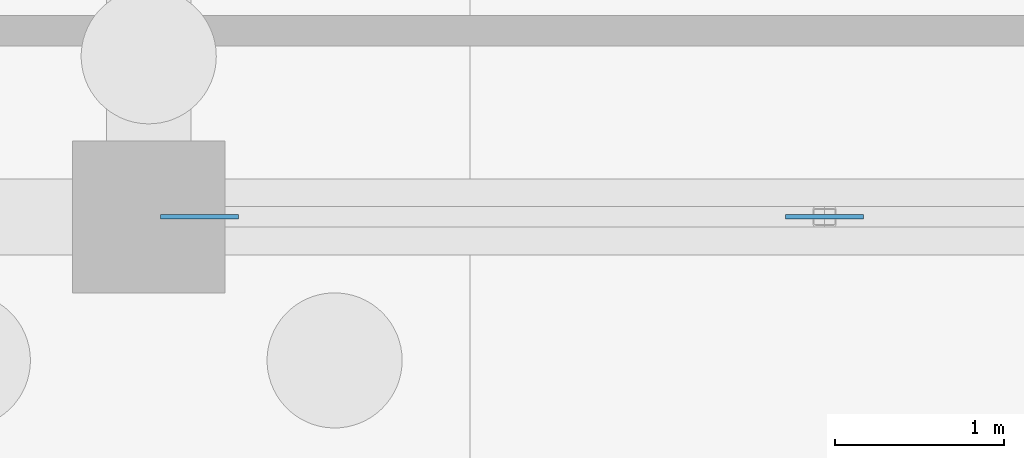
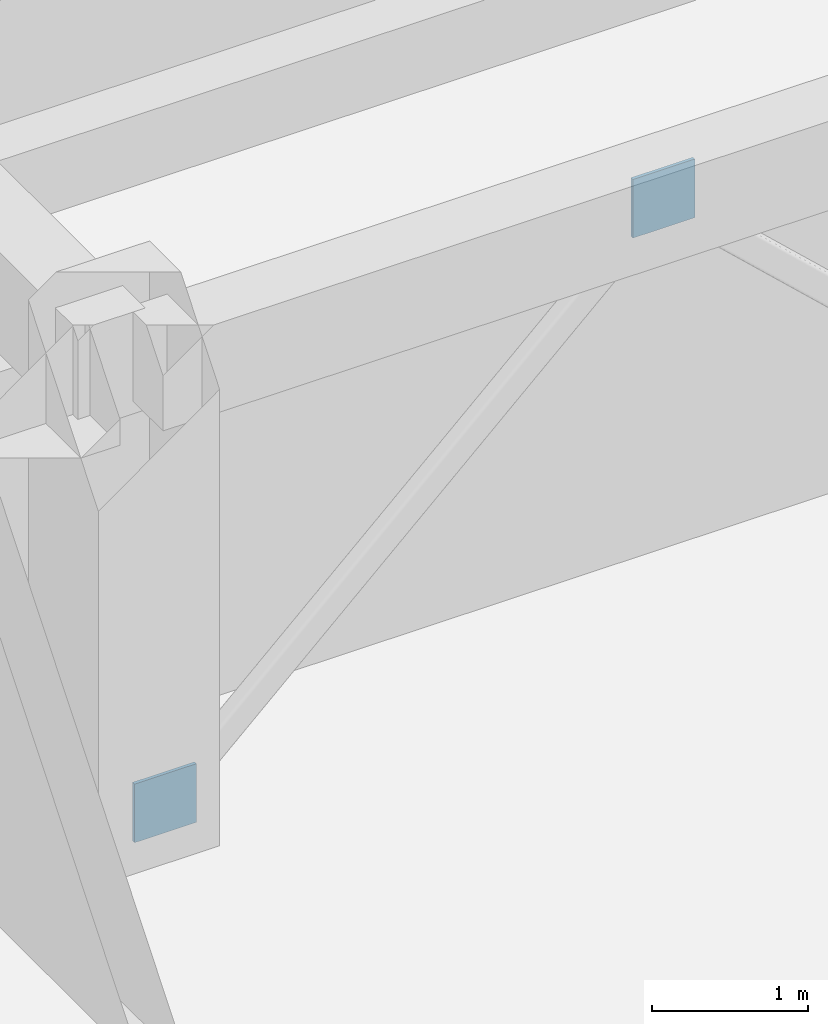
# One storey, part 17 of 36: 2 plates.
"""IFC4 building model written with IfcOpenShell, lengths in metres."""

from ifc_helpers import new_model, si_unit, direction, frame, origin, origin_2d, place, context, subcontext, project, spatial, rectangle, extrude, material, layer, layer_set, type_object, element, save


model = new_model("IFC4")

# Units and contexts
model_context = context("Model", 3, precision=1e-05, world=origin(), true_north=direction((0.0, 1.0)))
body_context = subcontext(model_context, "Body", "Model", "MODEL_VIEW")
ifc_project = project(units=[si_unit("LENGTHUNIT", "METRE"), si_unit("AREAUNIT", "SQUARE_METRE"), si_unit("VOLUMEUNIT", "CUBIC_METRE"), si_unit("PLANEANGLEUNIT", "RADIAN"), si_unit("MASSUNIT", "GRAM", prefix="KILO"), si_unit("THERMODYNAMICTEMPERATUREUNIT", "KELVIN"), si_unit("POWERUNIT", "WATT")], contexts=[model_context])

# Site, building, storey
site_placement = place(None, origin())
site = spatial("IfcSite", under=ifc_project, at=site_placement, CompositionType="ELEMENT")
building_placement = place(site_placement, origin())
building = spatial("IfcBuilding", under=site, at=building_placement, Name="Solvatero Civic Police Headquarters", CompositionType="ELEMENT")
storey_placement = place(building_placement, frame((0.0, 0.0, -8.39990234375)))
storey = spatial("IfcBuildingStorey", under=building, at=storey_placement, Name="B02", CompositionType="ELEMENT", Elevation=-8.39990234375)

# Plates
ifc_material = material(Name="Steel S355", Category="steel")
ifc_layer = layer(ifc_material, 0.02490234375)
ifc_layer_set = layer_set([ifc_layer], Name="Steel S355")
plate_type = type_object("IfcPlateType", Name="PLT-GUS-20", PredefinedType="SHEET", material=ifc_layer_set)
for number, where, z_axis, x_axis, name in (
    (1, (132.0, 36.5, 3.33984375), (0.0, 0.0, 1.0), (1.0, 0.0, 0.0), "Gusset Plate BR-V3-INT APX B02"),
    (2, (128.300048828125, 36.5, -0.110107421875), (0.0, 0.0, 1.0), (1.0, 0.0, 0.0), "Gusset Plate BR-V3-INT BSL B02"),
):
    element("IfcPlate", number, at=place(storey_placement, frame(where, z_axis=z_axis, x_axis=x_axis)), inside=storey, type_object=plate_type, Name=name, PredefinedType="SHEET", context=body_context, shape_type="SweptSolid", body=[
        extrude(rectangle(XDim=0.4599609375, YDim=0.02490234375, at=origin_2d()), origin(), (0.0, 0.0, 1.0), 0.4599609375),
    ])

save(model, "model.ifc")
